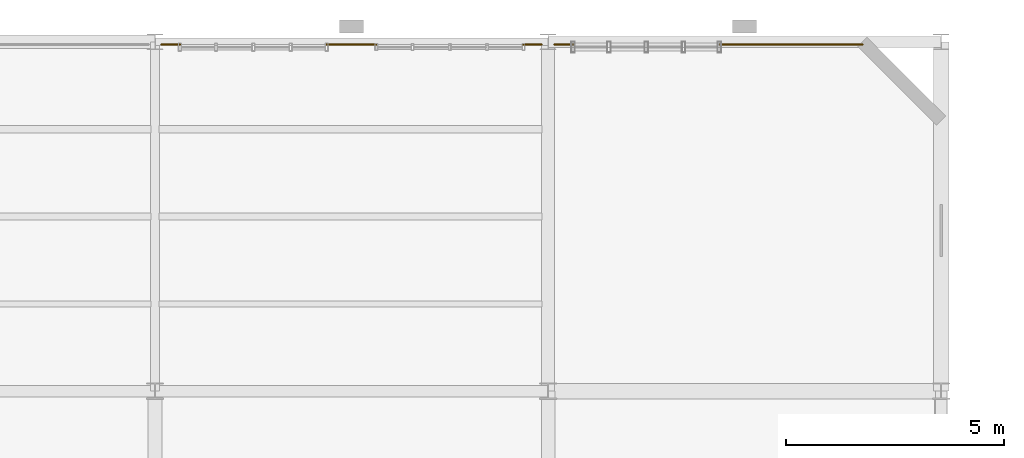
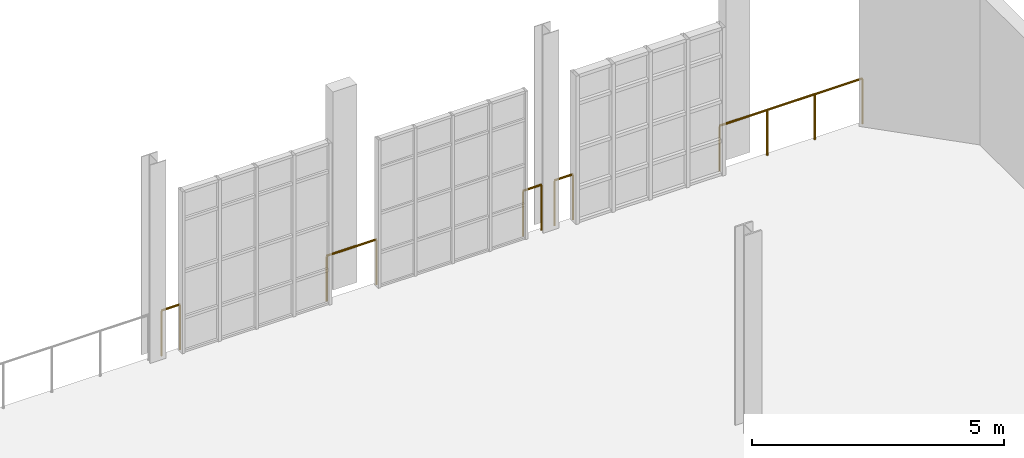
# One storey, part 118 of 118: 5 railings.
"""IFC4 building model written with IfcOpenShell, lengths in metres."""

from ifc_helpers import new_model, si_unit, direction, frame, origin, origin_2d, place, context, subcontext, project, spatial, circle, extrude, material, type_object, element, save


model = new_model("IFC4")

# Units and contexts
model_context = context("Model", 3, precision=1e-05, world=origin(), true_north=direction((0.0, 1.0)))
body_context = subcontext(model_context, "Body", "Model", "MODEL_VIEW")
ifc_project = project(units=[si_unit("LENGTHUNIT", "METRE"), si_unit("AREAUNIT", "SQUARE_METRE"), si_unit("VOLUMEUNIT", "CUBIC_METRE"), si_unit("PLANEANGLEUNIT", "RADIAN"), si_unit("MASSUNIT", "GRAM", prefix="KILO"), si_unit("THERMODYNAMICTEMPERATUREUNIT", "KELVIN"), si_unit("POWERUNIT", "WATT")], contexts=[model_context])

# Site, building, storey
site_placement = place(None, origin())
site = spatial("IfcSite", under=ifc_project, at=site_placement, CompositionType="ELEMENT")
building_placement = place(site_placement, origin())
building = spatial("IfcBuilding", under=site, at=building_placement, Name="Zelmaris Science Centre", CompositionType="ELEMENT")
storey_placement = place(building_placement, frame((0.0, 0.0, 15.60009765625)))
storey = spatial("IfcBuildingStorey", under=building, at=storey_placement, Name="L03", CompositionType="ELEMENT", Elevation=15.60009765625)

# Railings
ifc_material = material(Name="Architectural bronze alloy C28000")
railing_type = type_object("IfcRailingType", Name="Balustrade GD-01 H1120", PredefinedType="BALUSTRADE", material=ifc_material)
railing_1_placement = place(storey_placement, frame((90.14794921875, 87.93994140625, 0.0)))
element("IfcRailing", 1, at=railing_1_placement, inside=storey, type_object=railing_type, Name="L03 Perimeter safety balustrade 231", PredefinedType="BALUSTRADE", context=body_context, shape_type="SweptSolid", body=[
    extrude(circle(Radius=0.02392578125, at=origin_2d()), frame((0.0, 0.0, 1.09619140625), z_axis=(1.0, 0.0, 0.0), x_axis=(0.0, 1.0, 0.0)), (0.0, 0.0, 1.0), 0.422119140625),
    extrude(circle(Radius=0.02099609375, at=origin_2d()), origin(), (0.0, 0.0, 1.0), 1.072021484375),
    extrude(circle(Radius=0.02099609375, at=origin_2d()), frame((0.422119140625, 0.0, 0.0)), (0.0, 0.0, 1.0), 1.072021484375),
])
railing_2_placement = place(storey_placement, frame((93.929931640625, 87.93994140625, 0.0)))
element("IfcRailing", 2, at=railing_2_placement, inside=storey, type_object=railing_type, Name="L03 Perimeter safety balustrade 232", PredefinedType="BALUSTRADE", context=body_context, shape_type="SweptSolid", body=[
    extrude(circle(Radius=0.02392578125, at=origin_2d()), frame((0.0, 0.0, 1.09619140625), z_axis=(1.0, 0.0, 0.0), x_axis=(0.0, 1.0, 0.0)), (0.0, 0.0, 1.0), 1.14013671875),
    extrude(circle(Radius=0.02099609375, at=origin_2d()), origin(), (0.0, 0.0, 1.0), 1.072021484375),
    extrude(circle(Radius=0.02099609375, at=origin_2d()), frame((1.14013671875, 0.0, 0.0)), (0.0, 0.0, 1.0), 1.072021484375),
])
for number, where, name in (
    (3, (98.429931640625, 87.93994140625, 0.0), "L03 Perimeter safety balustrade 233"),
    (4, (99.14794921875, 87.93994140625, 0.0), "L03 Perimeter safety balustrade 234"),
):
    element("IfcRailing", number, at=place(storey_placement, frame(where)), inside=storey, type_object=railing_type, Name=name, PredefinedType="BALUSTRADE", context=body_context, shape_type="SweptSolid", body=[
        extrude(circle(Radius=0.02392578125, at=origin_2d()), frame((0.0, 0.0, 1.09619140625), z_axis=(1.0, 0.0, 0.0), x_axis=(0.0, 1.0, 0.0)), (0.0, 0.0, 1.0), 0.422119140625),
        extrude(circle(Radius=0.02099609375, at=origin_2d()), origin(), (0.0, 0.0, 1.0), 1.072021484375),
        extrude(circle(Radius=0.02099609375, at=origin_2d()), frame((0.422119140625, 0.0, 0.0)), (0.0, 0.0, 1.0), 1.072021484375),
    ])
railing_3_placement = place(storey_placement, frame((102.929931640625, 87.93994140625, 0.0)))
element("IfcRailing", 5, at=railing_3_placement, inside=storey, type_object=railing_type, Name="L03 Perimeter safety balustrade 235", PredefinedType="BALUSTRADE", context=body_context, shape_type="SweptSolid", body=[
    extrude(circle(Radius=0.02392578125, at=origin_2d()), frame((0.0, 0.0, 1.09619140625), z_axis=(1.0, 0.0, 0.0), x_axis=(0.0, 1.0, 0.0)), (0.0, 0.0, 1.0), 3.27001953125),
    extrude(circle(Radius=0.02099609375, at=origin_2d()), origin(), (0.0, 0.0, 1.0), 1.072021484375),
    extrude(circle(Radius=0.02099609375, at=origin_2d()), frame((1.090087890625, 0.0, 0.0)), (0.0, 0.0, 1.0), 1.072021484375),
    extrude(circle(Radius=0.02099609375, at=origin_2d()), frame((2.179931640625, 0.0, 0.0)), (0.0, 0.0, 1.0), 1.072021484375),
    extrude(circle(Radius=0.02099609375, at=origin_2d()), frame((3.27001953125, 0.0, 0.0)), (0.0, 0.0, 1.0), 1.072021484375),
])

save(model, "model.ifc")
